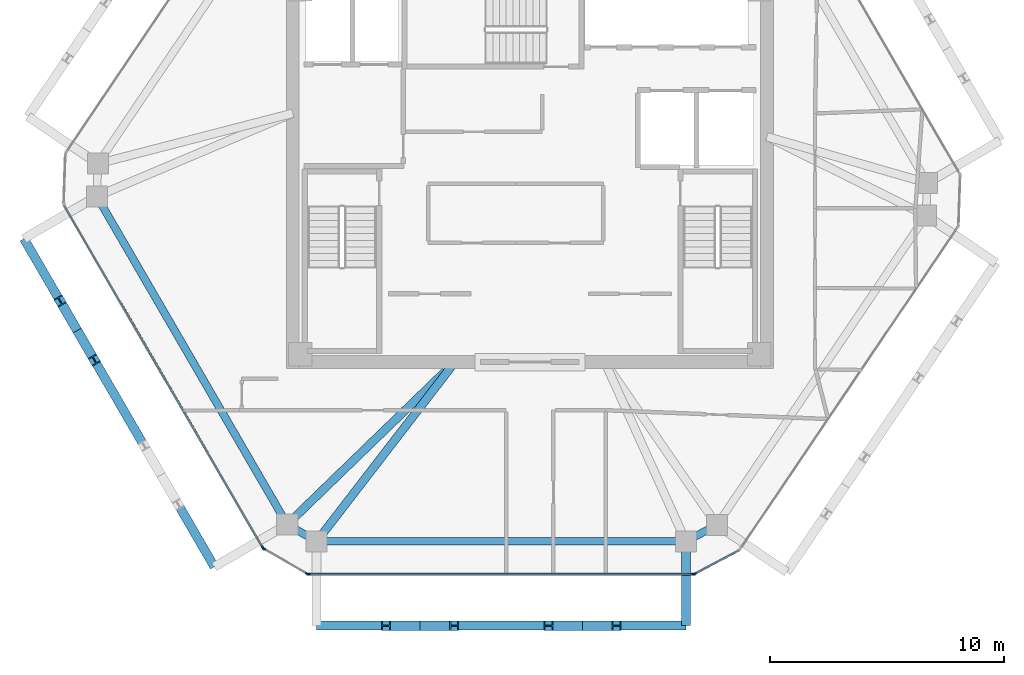
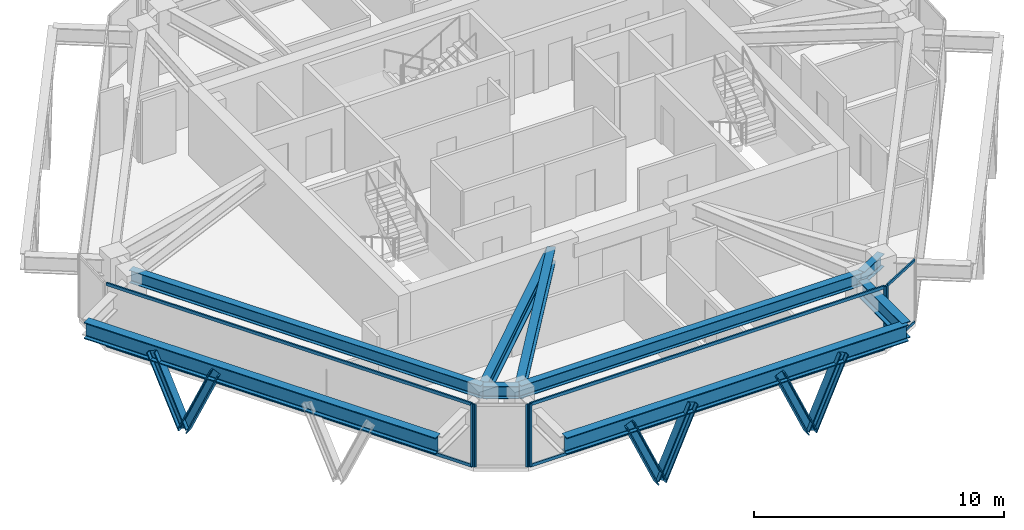
# One storey, part 2 of 11: 18 members, 9 beams, 4 elements without a shape of their own.
"""IFC4 building model written with IfcOpenShell, lengths in metres."""

from ifc_helpers import new_model, si_unit, direction, frame, origin, origin_2d, place, context, subcontext, project, spatial, rectangle, i_section, extrude, source, transform, mapped, material, layer, layer_set, material_profile, profile_set, type_object, type_shapes, element, aggregate, save


model = new_model("IFC4")

# Units and contexts
model_context = context("Model", 3, precision=1e-05, world=origin(), true_north=direction((0.0, 1.0)))
body_context = subcontext(model_context, "Body", "Model", "MODEL_VIEW")
ifc_project = project(units=[si_unit("LENGTHUNIT", "METRE"), si_unit("AREAUNIT", "SQUARE_METRE"), si_unit("VOLUMEUNIT", "CUBIC_METRE"), si_unit("PLANEANGLEUNIT", "RADIAN"), si_unit("MASSUNIT", "GRAM", prefix="KILO")], contexts=[model_context])

# Site, building, storey
site_placement = place(None, origin())
site = spatial("IfcSite", under=ifc_project, at=site_placement, CompositionType="ELEMENT")
building_placement = place(site_placement, origin())
building = spatial("IfcBuilding", under=site, at=building_placement, Name="Durnholm Broadcast Tower", CompositionType="ELEMENT")
storey_placement = place(building_placement, frame((0.0, 0.0, 224.89990234375)))
storey = spatial("IfcBuildingStorey", under=building, at=storey_placement, Name="L62", CompositionType="ELEMENT", Elevation=224.89990234375)

# Beams
ifc_material_1 = material(Name="Steel ASTM A992 Grade 50", Category="steel")
ifc_material_profile_1 = material_profile(ifc_material_1, i_section(OverallWidth=0.385009765625, OverallDepth=0.802978515625, WebThickness=0.023681640625, FlangeThickness=0.0419921875, FilletRadius=0.032958984375, at=origin_2d()), Name="W30X261")
ifc_profile_set_1 = profile_set([ifc_material_profile_1], Name="Steel ASTM A992 Grade 50")
beam_type_1 = type_object("IfcBeamType", Name="BM-EXO-TIE", PredefinedType="USERDEFINED", material=ifc_profile_set_1)
shared_shape_1 = source(origin(), body_context, "Body", "SweptSolid", [
    extrude(i_section(OverallWidth=0.385009765625, OverallDepth=0.802978515625, WebThickness=0.023681640625, FlangeThickness=0.0419921875, FilletRadius=0.032958984375, at=origin_2d()), origin(), (0.0, 0.0, 1.0), 3.4560546875),
])
beam_1_placement = place(storey_placement, frame((6.663818359375, -15.929931640625, 2.30859375), z_axis=(0.0, -1.0, 0.0), x_axis=(1.0, 0.0, 0.0)))
element("IfcBeam", 1, at=beam_1_placement, inside=storey, type_object=beam_type_1, Name="L62 exoskeleton stand-off tie bracket F1.2", ObjectType="GIRDER", PredefinedType="USERDEFINED", context=body_context, shape_type="MappedRepresentation", body=[
    mapped(shared_shape_1, transform((0.0, 0.0, 0.0), x_axis=(1.0, 0.0, 0.0), y_axis=(0.0, 1.0, 0.0), z_axis=(0.0, 0.0, 1.0), scale=1.0)),
])
ifc_material_profile_2 = material_profile(ifc_material_1, i_section(OverallWidth=0.3251953125, OverallDepth=0.6162109375, WebThickness=0.013916015625, FlangeThickness=0.021484375, FilletRadius=0.02783203125, at=origin_2d()), Name="W24X117")
ifc_profile_set_2 = profile_set([ifc_material_profile_2], Name="Steel ASTM A992 Grade 50")
beam_type_2 = type_object("IfcBeamType", Name="STL-SP-W24X117", PredefinedType="SPANDREL", material=ifc_profile_set_2)
shared_shape_2 = source(origin(), body_context, "Body", "SweptSolid", [
    extrude(i_section(OverallWidth=0.3251953125, OverallDepth=0.6162109375, WebThickness=0.013916015625, FlangeThickness=0.021484375, FilletRadius=0.02783203125, at=origin_2d()), origin(), (0.0, 0.0, 1.0), 16.202880859375),
])
beam_2_placement = place(storey_placement, frame((-10.361328125, -15.061767578125, 2.737060546875), z_axis=(-0.501948303381, 0.864897624423, 0.0), x_axis=(-0.864897624423, -0.501948303381, 0.0)))
element("IfcBeam", 2, at=beam_2_placement, inside=storey, type_object=beam_type_2, Name="L62 perimeter spandrel girder 01", PredefinedType="SPANDREL", context=body_context, shape_type="MappedRepresentation", body=[
    mapped(shared_shape_2, transform((0.0, 0.0, 0.0), x_axis=(1.0, 0.0, 0.0), y_axis=(0.0, 1.0, 0.0), z_axis=(0.0, 0.0, 1.0), scale=1.0)),
])
shared_shape_3 = source(origin(), body_context, "Body", "SweptSolid", [
    extrude(i_section(OverallWidth=0.3251953125, OverallDepth=0.6162109375, WebThickness=0.013916015625, FlangeThickness=0.021484375, FilletRadius=0.02783203125, at=origin_2d()), origin(), (0.0, 0.0, 1.0), 1.502685546875),
])
beam_3_placement = place(storey_placement, frame((7.990966796875, -15.081298828125, 2.737060546875), z_axis=(-0.883241909673, -0.468917614296, 0.0), x_axis=(0.468917614296, -0.883241909673, 0.0)))
element("IfcBeam", 3, at=beam_3_placement, inside=storey, type_object=beam_type_2, Name="L62 perimeter spandrel girder 10", PredefinedType="SPANDREL", context=body_context, shape_type="MappedRepresentation", body=[
    mapped(shared_shape_3, transform((0.0, 0.0, 0.0), x_axis=(1.0, 0.0, 0.0), y_axis=(0.0, 1.0, 0.0), z_axis=(0.0, 0.0, 1.0), scale=1.0)),
])
shared_shape_4 = source(origin(), body_context, "Body", "SweptSolid", [
    extrude(i_section(OverallWidth=0.3251953125, OverallDepth=0.6162109375, WebThickness=0.013916015625, FlangeThickness=0.021484375, FilletRadius=0.02783203125, at=origin_2d()), origin(), (0.0, 0.0, 1.0), 15.767578125),
])
beam_4_placement = place(storey_placement, frame((6.663818359375, -15.785888671875, 2.737060546875), z_axis=(-1.0, 0.0, 0.0), x_axis=(0.0, -1.0, 0.0)))
element("IfcBeam", 4, at=beam_4_placement, inside=storey, type_object=beam_type_2, Name="L62 perimeter spandrel girder 11", PredefinedType="SPANDREL", context=body_context, shape_type="MappedRepresentation", body=[
    mapped(shared_shape_4, transform((0.0, 0.0, 0.0), x_axis=(1.0, 0.0, 0.0), y_axis=(0.0, 1.0, 0.0), z_axis=(0.0, 0.0, 1.0), scale=1.0)),
])
shared_shape_5 = source(origin(), body_context, "Body", "SweptSolid", [
    extrude(i_section(OverallWidth=0.3251953125, OverallDepth=0.6162109375, WebThickness=0.013916015625, FlangeThickness=0.021484375, FilletRadius=0.02783203125, at=origin_2d()), origin(), (0.0, 0.0, 1.0), 1.451171875),
])
type_shapes(beam_type_2, [shared_shape_2, shared_shape_3, shared_shape_4, shared_shape_5])
beam_5_placement = place(storey_placement, frame((-9.103759765625, -15.785888671875, 2.737060546875), z_axis=(-0.866602615509, 0.498998904601, 0.0), x_axis=(-0.498998904601, -0.866602615509, 0.0)))
element("IfcBeam", 5, at=beam_5_placement, inside=storey, type_object=beam_type_2, Name="L62 perimeter spandrel girder 12", PredefinedType="SPANDREL", context=body_context, shape_type="MappedRepresentation", body=[
    mapped(shared_shape_5, transform((0.0, 0.0, 0.0), x_axis=(1.0, 0.0, 0.0), y_axis=(0.0, 1.0, 0.0), z_axis=(0.0, 0.0, 1.0), scale=1.0)),
])
shared_shape_6 = source(origin(), body_context, "Body", "SweptSolid", [
    extrude(i_section(OverallWidth=0.385009765625, OverallDepth=0.802978515625, WebThickness=0.023681640625, FlangeThickness=0.0419921875, FilletRadius=0.032958984375, at=origin_2d()), origin(), (0.0, 0.0, 1.0), 15.767578125),
])
beam_6_placement = place(storey_placement, frame((-9.103759765625, -19.385986328125, 2.30859375), z_axis=(1.0, 0.0, 0.0), x_axis=(0.0, 1.0, 0.0)))
element("IfcBeam", 6, at=beam_6_placement, inside=storey, type_object=beam_type_1, Name="L62 exoskeleton collector spandrel F1", PredefinedType="SPANDREL", context=body_context, shape_type="MappedRepresentation", body=[
    mapped(shared_shape_6, transform((0.0, 0.0, 0.0), x_axis=(1.0, 0.0, 0.0), y_axis=(0.0, 1.0, 0.0), z_axis=(0.0, 0.0, 1.0), scale=1.0)),
])
shared_shape_7 = source(origin(), body_context, "Body", "SweptSolid", [
    extrude(i_section(OverallWidth=0.385009765625, OverallDepth=0.802978515625, WebThickness=0.023681640625, FlangeThickness=0.0419921875, FilletRadius=0.032958984375, at=origin_2d()), origin(), (0.0, 0.0, 1.0), 16.20263671875),
])
type_shapes(beam_type_1, [shared_shape_1, shared_shape_6, shared_shape_7])
beam_7_placement = place(storey_placement, frame((-21.60791015625, -2.85498046875, 2.30859375), z_axis=(0.501943573333, -0.864900369516, 0.0), x_axis=(0.864900369516, 0.501943573333, 0.0)))
element("IfcBeam", 7, at=beam_7_placement, inside=storey, type_object=beam_type_1, Name="L62 exoskeleton collector spandrel F6", PredefinedType="SPANDREL", context=body_context, shape_type="MappedRepresentation", body=[
    mapped(shared_shape_7, transform((0.0, 0.0, 0.0), x_axis=(1.0, 0.0, 0.0), y_axis=(0.0, 1.0, 0.0), z_axis=(0.0, 0.0, 1.0), scale=1.0)),
])
ifc_material_profile_3 = material_profile(ifc_material_1, i_section(OverallWidth=0.3564453125, OverallDepth=0.713623046875, WebThickness=0.01904296875, FlangeThickness=0.033935546875, FilletRadius=0.030517578125, at=origin_2d()), Name="W27X194")
ifc_profile_set_3 = profile_set([ifc_material_profile_3], Name="Steel ASTM A992 Grade 50")
beam_type_3 = type_object("IfcBeamType", Name="STL-GR-W27X194", PredefinedType="USERDEFINED", material=ifc_profile_set_3)
shared_shape_8 = source(origin(), body_context, "Body", "SweptSolid", [
    extrude(i_section(OverallWidth=0.3564453125, OverallDepth=0.713623046875, WebThickness=0.01904296875, FlangeThickness=0.033935546875, FilletRadius=0.030517578125, at=origin_2d()), origin(), (0.0, 0.0, 1.0), 9.97021484375),
])
beam_8_placement = place(storey_placement, frame((-3.199951171875, -8.125, 2.688232421875), z_axis=(-0.718281140352, -0.695752975857, 0.0), x_axis=(0.695752975857, -0.718281140352, 0.0)))
element("IfcBeam", 8, at=beam_8_placement, inside=storey, type_object=beam_type_3, Name="L62 radial primary floor girder 01", ObjectType="GIRDER", PredefinedType="USERDEFINED", context=body_context, shape_type="MappedRepresentation", body=[
    mapped(shared_shape_8, transform((0.0, 0.0, 0.0), x_axis=(1.0, 0.0, 0.0), y_axis=(0.0, 1.0, 0.0), z_axis=(0.0, 0.0, 1.0), scale=1.0)),
])
shared_shape_9 = source(origin(), body_context, "Body", "SweptSolid", [
    extrude(i_section(OverallWidth=0.3564453125, OverallDepth=0.713623046875, WebThickness=0.01904296875, FlangeThickness=0.033935546875, FilletRadius=0.030517578125, at=origin_2d()), origin(), (0.0, 0.0, 1.0), 9.671875),
])
type_shapes(beam_type_3, [shared_shape_8, shared_shape_9])
beam_9_placement = place(storey_placement, frame((-3.199951171875, -8.125, 2.688232421875), z_axis=(-0.610413181287, -0.792083169945, 0.0), x_axis=(0.792083169945, -0.610413181287, 0.0)))
element("IfcBeam", 9, at=beam_9_placement, inside=storey, type_object=beam_type_3, Name="L62 radial primary floor girder 12", ObjectType="GIRDER", PredefinedType="USERDEFINED", context=body_context, shape_type="MappedRepresentation", body=[
    mapped(shared_shape_9, transform((0.0, 0.0, 0.0), x_axis=(1.0, 0.0, 0.0), y_axis=(0.0, 1.0, 0.0), z_axis=(0.0, 0.0, 1.0), scale=1.0)),
])

# Members
ifc_material_2 = material(Name="Steel ASTM A913 Grade 65", Category="steel")
ifc_material_profile_4 = material_profile(ifc_material_2, i_section(OverallWidth=0.40625, OverallDepth=0.416015625, WebThickness=0.02978515625, FlangeThickness=0.048095703125, FilletRadius=0.030517578125, at=origin_2d()), Name="W14X257")
ifc_profile_set_4 = profile_set([ifc_material_profile_4], Name="Steel ASTM A913 Grade 65")
member_type_1 = type_object("IfcMemberType", Name="STL-DG-W14X257", PredefinedType="BRACE", material=ifc_profile_set_4)
shared_shape_10 = source(origin(), body_context, "Body", "SweptSolid", [
    extrude(i_section(OverallWidth=0.40625, OverallDepth=0.416015625, WebThickness=0.02978515625, FlangeThickness=0.048095703125, FilletRadius=0.030517578125, at=origin_2d()), origin(), (0.0, 0.0, 1.0), 3.60791015625),
])
for number, where, z_axis, x_axis, name in (
    (10, (-4.688720703125, -19.385986328125, -0.991455078125), (-0.404184914295, 0.0, 0.914677295584), (0.0, -1.0, 0.0), "L62 stand-off diagrid brace F1.D1.1"),
    (11, (2.248779296875, -19.385986328125, -0.991455078125), (-0.404184914295, 0.0, 0.914677295584), (0.0, -1.0, 0.0), "L62 stand-off diagrid brace F1.D2.1"),
    (12, (2.248779296875, -19.385986328125, -0.991455078125), (0.404184914295, 0.0, 0.914677295584), (0.0, 1.0, 0.0), "L62 stand-off diagrid brace F1.D2.2"),
    (13, (-19.330810546875, -6.77880859375, -0.991455078125), (-0.202806304578, 0.349582038522, 0.914692298626), (-0.864978863669, -0.501808295473, 0.0), "L62 stand-off diagrid brace F6.D1.1"),
    (14, (-19.330810546875, -6.77880859375, -0.991455078125), (0.202936072208, -0.349572440488, 0.914667185072), (0.864833498681, 0.50205878098, 0.0), "L62 stand-off diagrid brace F6.D1.2"),
):
    element("IfcMember", number, at=place(storey_placement, frame(where, z_axis=z_axis, x_axis=x_axis)), inside=storey, type_object=member_type_1, Name=name, PredefinedType="BRACE", context=body_context, shape_type="MappedRepresentation", body=[
        mapped(shared_shape_10, transform((0.0, 0.0, 0.0), x_axis=(1.0, 0.0, 0.0), y_axis=(0.0, 1.0, 0.0), z_axis=(0.0, 0.0, 1.0), scale=1.0)),
    ])
shared_shape_11 = source(origin(), body_context, "Body", "SweptSolid", [
    extrude(i_section(OverallWidth=0.40625, OverallDepth=0.416015625, WebThickness=0.02978515625, FlangeThickness=0.048095703125, FilletRadius=0.030517578125, at=origin_2d()), origin(), (0.0, 0.0, 1.0), 3.607666015625),
])
type_shapes(member_type_1, [shared_shape_10, shared_shape_11])
member_1_placement = place(storey_placement, frame((-4.688720703125, -19.385986328125, -0.991455078125), z_axis=(0.404128298032, 0.0, 0.914702311536), x_axis=(0.0, 1.0, 0.0)))
element("IfcMember", 15, at=member_1_placement, inside=storey, type_object=member_type_1, Name="L62 stand-off diagrid brace F1.D1.2", PredefinedType="BRACE", context=body_context, shape_type="MappedRepresentation", body=[
    mapped(shared_shape_11, transform((0.0, 0.0, 0.0), x_axis=(1.0, 0.0, 0.0), y_axis=(0.0, 1.0, 0.0), z_axis=(0.0, 0.0, 1.0), scale=1.0)),
])

# Curtain wall, members
ifc_material_3 = material(Name="Aluminium and Solar Control IGU", Category="aluminium")
ifc_layer_1 = layer(ifc_material_3, 0.1650390625)
ifc_layer_set_1 = layer_set([ifc_layer_1], Name="Aluminium and Solar Control IGU")
curtain_wall_type_1 = type_object("IfcCurtainWallType", Name="CW-SYS-5", PredefinedType="NOTDEFINED", material=ifc_layer_set_1)
curtain_wall_1_placement = place(storey_placement, origin())
curtain_wall_1 = element("IfcCurtainWall", 16, at=curtain_wall_1_placement, inside=storey, type_object=curtain_wall_type_1, Name="L62 curtain wall CW-CORNER CW-L62-CRN-09", PredefinedType="NOTDEFINED")
ifc_material_4 = material(Name="Aluminium 6063-T6", Category="aluminium")
ifc_material_profile_5 = material_profile(ifc_material_4, rectangle(XDim=0.06494140625, YDim=0.1298828125, at=origin_2d()), Name="CWT65X130")
ifc_profile_set_5 = profile_set([ifc_material_profile_5], Name="Aluminium 6063-T6")
member_type_2 = type_object("IfcMemberType", Name="CW-SYS-5-TRN", PredefinedType="USERDEFINED", material=ifc_profile_set_5)
shared_shape_12 = source(origin(), body_context, "Body", "SweptSolid", [
    extrude(rectangle(XDim=0.06494140625, YDim=0.1298828125, at=origin_2d()), origin(), (0.0, 0.0, 1.0), 2.070068359375),
])
type_shapes(member_type_2, [shared_shape_12])
member_2_placement = place(storey_placement, frame((8.89794921875, -16.1845703125, 0.03271484375), z_axis=(-0.883164581026, -0.469063239682, 0.0), x_axis=(0.469063239682, -0.883164581026, 0.0)))
member_2 = element("IfcMember", 17, at=member_2_placement, type_object=member_type_2, Name="CW-CORNER transom 1.1", ObjectType="TRANSOM", PredefinedType="USERDEFINED", context=body_context, shape_type="MappedRepresentation", body=[
    mapped(shared_shape_12, transform((0.0, 0.0, 0.0), x_axis=(1.0, 0.0, 0.0), y_axis=(0.0, 1.0, 0.0), z_axis=(0.0, 0.0, 1.0), scale=1.0)),
])
member_3_placement = place(storey_placement, frame((8.89794921875, -16.1845703125, 3.027587890625), z_axis=(-0.883164581026, -0.469063239682, 0.0), x_axis=(0.469063239682, -0.883164581026, 0.0)))
member_3 = element("IfcMember", 18, at=member_3_placement, type_object=member_type_2, Name="CW-CORNER transom 1.2", ObjectType="TRANSOM", PredefinedType="USERDEFINED", context=body_context, shape_type="MappedRepresentation", body=[
    mapped(shared_shape_12, transform((0.0, 0.0, 0.0), x_axis=(1.0, 0.0, 0.0), y_axis=(0.0, 1.0, 0.0), z_axis=(0.0, 0.0, 1.0), scale=1.0)),
])
ifc_material_profile_6 = material_profile(ifc_material_4, rectangle(XDim=0.06494140625, YDim=0.1650390625, at=origin_2d()), Name="CWM65X165")
ifc_profile_set_6 = profile_set([ifc_material_profile_6], Name="Aluminium 6063-T6")
member_type_3 = type_object("IfcMemberType", Name="CW-SYS-5-MUL", PredefinedType="MULLION", material=ifc_profile_set_6)
shared_shape_13 = source(origin(), body_context, "Body", "SweptSolid", [
    extrude(rectangle(XDim=0.06494140625, YDim=0.1650390625, at=origin_2d()), origin(), (0.0, 0.0, 1.0), 3.06005859375),
])
type_shapes(member_type_3, [shared_shape_13])
member_4_placement = place(storey_placement, frame((7.041015625, -17.170654296875, 0.0), z_axis=(0.0, 0.0, 1.0), x_axis=(0.469006771575, -0.883194569853, 0.0)))
member_4 = element("IfcMember", 19, at=member_4_placement, type_object=member_type_3, Name="CW-CORNER mullion 2", PredefinedType="MULLION", context=body_context, shape_type="MappedRepresentation", body=[
    mapped(shared_shape_13, transform((0.0, 0.0, 0.0), x_axis=(1.0, 0.0, 0.0), y_axis=(0.0, 1.0, 0.0), z_axis=(0.0, 0.0, 1.0), scale=1.0)),
])
aggregate(curtain_wall_1, [member_4, member_2, member_3])

curtain_wall_2_placement = place(storey_placement, origin())
curtain_wall_2 = element("IfcCurtainWall", 20, at=curtain_wall_2_placement, inside=storey, type_object=curtain_wall_type_1, Name="L62 curtain wall CW-CORNER CW-L62-CRN-11", PredefinedType="NOTDEFINED")
member_5_placement = place(storey_placement, frame((-9.506103515625, -17.169677734375, 0.0), z_axis=(0.0, 0.0, 1.0), x_axis=(-0.499058582333, -0.866568249707, 0.0)))
member_5 = element("IfcMember", 21, at=member_5_placement, type_object=member_type_3, Name="CW-CORNER mullion 1", PredefinedType="MULLION", context=body_context, shape_type="MappedRepresentation", body=[
    mapped(shared_shape_13, transform((0.0, 0.0, 0.0), x_axis=(1.0, 0.0, 0.0), y_axis=(0.0, 1.0, 0.0), z_axis=(0.0, 0.0, 1.0), scale=1.0)),
])
member_6_placement = place(storey_placement, frame((-11.356201171875, -16.104248046875, 0.0), z_axis=(0.0, 0.0, 1.0), x_axis=(-0.499058582333, -0.866568249707, 0.0)))
member_6 = element("IfcMember", 22, at=member_6_placement, type_object=member_type_3, Name="CW-CORNER mullion 2", PredefinedType="MULLION", context=body_context, shape_type="MappedRepresentation", body=[
    mapped(shared_shape_13, transform((0.0, 0.0, 0.0), x_axis=(1.0, 0.0, 0.0), y_axis=(0.0, 1.0, 0.0), z_axis=(0.0, 0.0, 1.0), scale=1.0)),
])
aggregate(curtain_wall_2, [member_5, member_6])

ifc_layer_2 = layer(ifc_material_3, 0.18994140625)
ifc_layer_set_2 = layer_set([ifc_layer_2], Name="Aluminium and Solar Control IGU")
curtain_wall_type_2 = type_object("IfcCurtainWallType", Name="CW-SYS-4", PredefinedType="NOTDEFINED", material=ifc_layer_set_2)
curtain_wall_3_placement = place(storey_placement, origin())
curtain_wall_3 = element("IfcCurtainWall", 23, at=curtain_wall_3_placement, inside=storey, type_object=curtain_wall_type_2, Name="L62 curtain wall CW-Z34-VIS CW-L62-F10", PredefinedType="NOTDEFINED")
ifc_material_profile_7 = material_profile(ifc_material_4, rectangle(XDim=0.070068359375, YDim=0.18994140625, at=origin_2d()), Name="CWM70X190")
ifc_profile_set_7 = profile_set([ifc_material_profile_7], Name="Aluminium 6063-T6")
member_type_4 = type_object("IfcMemberType", Name="CW-SYS-4-MUL", PredefinedType="MULLION", material=ifc_profile_set_7)
shared_shape_14 = source(origin(), body_context, "Body", "SweptSolid", [
    extrude(rectangle(XDim=0.070068359375, YDim=0.18994140625, at=origin_2d()), origin(), (0.0, 0.0, 1.0), 3.06005859375),
])
type_shapes(member_type_4, [shared_shape_14])
member_7_placement = place(storey_placement, frame((6.977294921875, -17.18603515625, 0.0), z_axis=(0.0, 0.0, 1.0), x_axis=(0.0, -1.0, 0.0)))
member_7 = element("IfcMember", 24, at=member_7_placement, type_object=member_type_4, Name="CW-Z34-VIS mullion 1", PredefinedType="MULLION", context=body_context, shape_type="MappedRepresentation", body=[
    mapped(shared_shape_14, transform((0.0, 0.0, 0.0), x_axis=(1.0, 0.0, 0.0), y_axis=(0.0, 1.0, 0.0), z_axis=(0.0, 0.0, 1.0), scale=1.0)),
])
member_8_placement = place(storey_placement, frame((-9.443115234375, -17.18603515625, 0.0), z_axis=(0.0, 0.0, 1.0), x_axis=(0.0, -1.0, 0.0)))
member_8 = element("IfcMember", 25, at=member_8_placement, type_object=member_type_4, Name="CW-Z34-VIS mullion 2", PredefinedType="MULLION", context=body_context, shape_type="MappedRepresentation", body=[
    mapped(shared_shape_14, transform((0.0, 0.0, 0.0), x_axis=(1.0, 0.0, 0.0), y_axis=(0.0, 1.0, 0.0), z_axis=(0.0, 0.0, 1.0), scale=1.0)),
])

# Curtain wall, member
curtain_wall_4_placement = place(storey_placement, origin())
curtain_wall_4 = element("IfcCurtainWall", 26, at=curtain_wall_4_placement, inside=storey, type_object=curtain_wall_type_2, Name="L62 curtain wall CW-Z34-VIS CW-L62-F12", PredefinedType="NOTDEFINED")
member_9_placement = place(storey_placement, frame((-11.40185546875, -16.057861328125, 0.0), z_axis=(0.0, 0.0, 1.0), x_axis=(-0.864899883824, -0.50194441023, 0.0)))
member_9 = element("IfcMember", 27, at=member_9_placement, type_object=member_type_4, Name="CW-Z34-VIS mullion 1", PredefinedType="MULLION", context=body_context, shape_type="MappedRepresentation", body=[
    mapped(shared_shape_14, transform((0.0, 0.0, 0.0), x_axis=(1.0, 0.0, 0.0), y_axis=(0.0, 1.0, 0.0), z_axis=(0.0, 0.0, 1.0), scale=1.0)),
])

# Member
ifc_material_profile_8 = material_profile(ifc_material_4, rectangle(XDim=0.070068359375, YDim=0.14990234375, at=origin_2d()), Name="CWT70X150")
ifc_profile_set_8 = profile_set([ifc_material_profile_8], Name="Aluminium 6063-T6")
member_type_5 = type_object("IfcMemberType", Name="CW-SYS-4-TRN", PredefinedType="USERDEFINED", material=ifc_profile_set_8)
shared_shape_15 = source(origin(), body_context, "Body", "SweptSolid", [
    extrude(rectangle(XDim=0.070068359375, YDim=0.14990234375, at=origin_2d()), origin(), (0.0, 0.0, 1.0), 16.350341796875),
])
member_10_placement = place(storey_placement, frame((6.9423828125, -17.18603515625, 0.03515625), z_axis=(-1.0, 0.0, 0.0), x_axis=(0.0, -1.0, 0.0)))
member_10 = element("IfcMember", 28, at=member_10_placement, type_object=member_type_5, Name="CW-Z34-VIS transom 1.1", ObjectType="TRANSOM", PredefinedType="USERDEFINED", context=body_context, shape_type="MappedRepresentation", body=[
    mapped(shared_shape_15, transform((0.0, 0.0, 0.0), x_axis=(1.0, 0.0, 0.0), y_axis=(0.0, 1.0, 0.0), z_axis=(0.0, 0.0, 1.0), scale=1.0)),
])

member_11_placement = place(storey_placement, frame((6.9423828125, -17.18603515625, 3.025146484375), z_axis=(-1.0, 0.0, 0.0), x_axis=(0.0, -1.0, 0.0)))
member_11 = element("IfcMember", 29, at=member_11_placement, type_object=member_type_5, Name="CW-Z34-VIS transom 1.2", ObjectType="TRANSOM", PredefinedType="USERDEFINED", context=body_context, shape_type="MappedRepresentation", body=[
    mapped(shared_shape_15, transform((0.0, 0.0, 0.0), x_axis=(1.0, 0.0, 0.0), y_axis=(0.0, 1.0, 0.0), z_axis=(0.0, 0.0, 1.0), scale=1.0)),
])

aggregate(curtain_wall_3, [member_7, member_8, member_10, member_11])

shared_shape_16 = source(origin(), body_context, "Body", "SweptSolid", [
    extrude(rectangle(XDim=0.070068359375, YDim=0.14990234375, at=origin_2d()), origin(), (0.0, 0.0, 1.0), 16.83984375),
])
type_shapes(member_type_5, [shared_shape_15, shared_shape_16])
member_12_placement = place(storey_placement, frame((-11.41943359375, -16.027587890625, 0.03515625), z_axis=(-0.501945239029, 0.86489940283, 0.0), x_axis=(-0.86489940283, -0.501945239029, 0.0)))
member_12 = element("IfcMember", 30, at=member_12_placement, type_object=member_type_5, Name="CW-Z34-VIS transom 1.1", ObjectType="TRANSOM", PredefinedType="USERDEFINED", context=body_context, shape_type="MappedRepresentation", body=[
    mapped(shared_shape_16, transform((0.0, 0.0, 0.0), x_axis=(1.0, 0.0, 0.0), y_axis=(0.0, 1.0, 0.0), z_axis=(0.0, 0.0, 1.0), scale=1.0)),
])

member_13_placement = place(storey_placement, frame((-11.41943359375, -16.027587890625, 3.025146484375), z_axis=(-0.501945239029, 0.86489940283, 0.0), x_axis=(-0.86489940283, -0.501945239029, 0.0)))
member_13 = element("IfcMember", 31, at=member_13_placement, type_object=member_type_5, Name="CW-Z34-VIS transom 1.2", ObjectType="TRANSOM", PredefinedType="USERDEFINED", context=body_context, shape_type="MappedRepresentation", body=[
    mapped(shared_shape_16, transform((0.0, 0.0, 0.0), x_axis=(1.0, 0.0, 0.0), y_axis=(0.0, 1.0, 0.0), z_axis=(0.0, 0.0, 1.0), scale=1.0)),
])

aggregate(curtain_wall_4, [member_9, member_12, member_13])

save(model, "model.ifc")
